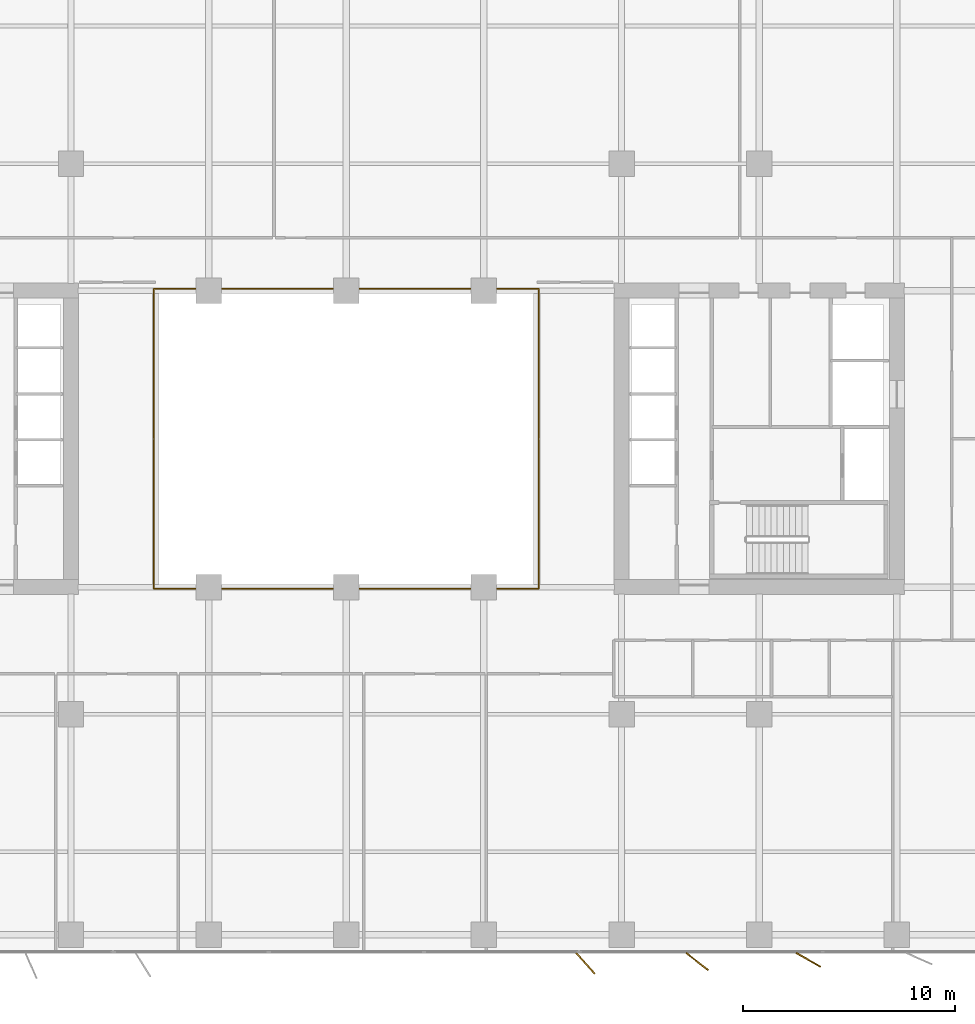
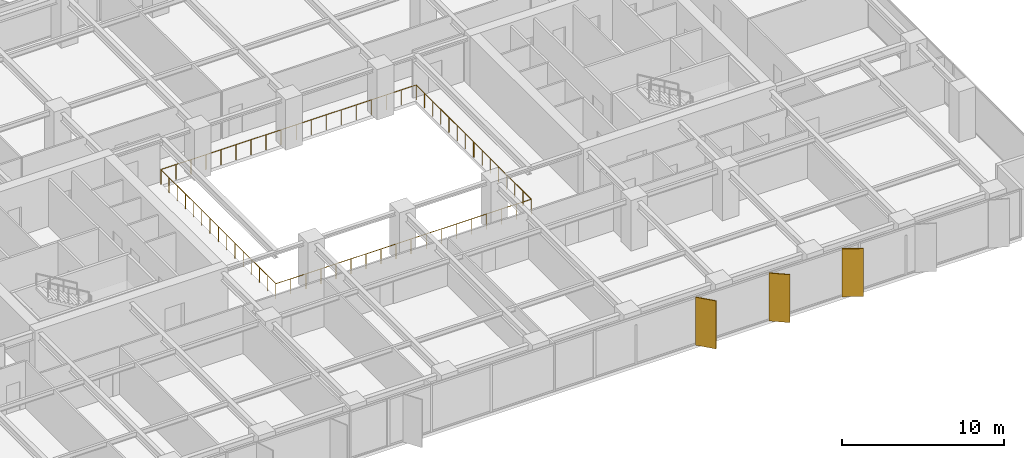
# One storey, part 18 of 20: 3 shading devices, 2 railings.
"""IFC4 building model written with IfcOpenShell, lengths in metres."""

from ifc_helpers import new_model, si_unit, direction, frame, origin, origin_2d, place, context, subcontext, project, spatial, rectangle, circle, extrude, material, layer, layer_set, type_object, element, save


model = new_model("IFC4")

# Units and contexts
model_context = context("Model", 3, precision=1e-05, world=origin(), true_north=direction((0.0, 1.0)))
body_context = subcontext(model_context, "Body", "Model", "MODEL_VIEW")
ifc_project = project(units=[si_unit("LENGTHUNIT", "METRE"), si_unit("AREAUNIT", "SQUARE_METRE"), si_unit("VOLUMEUNIT", "CUBIC_METRE"), si_unit("PLANEANGLEUNIT", "RADIAN"), si_unit("MASSUNIT", "GRAM", prefix="KILO")], contexts=[model_context])

# Site, building, storey
site_placement = place(None, origin())
site = spatial("IfcSite", under=ifc_project, at=site_placement, CompositionType="ELEMENT")
building_placement = place(site_placement, origin())
building = spatial("IfcBuilding", under=site, at=building_placement, Name="Putna Gate Headquarters", CompositionType="ELEMENT")
storey_placement = place(building_placement, frame((0.0, 0.0, 101.199951171875)))
storey = spatial("IfcBuildingStorey", under=building, at=storey_placement, Name="L24", CompositionType="ELEMENT", Elevation=101.199951171875)

# Railings
ifc_material_1 = material(Name="Anodised bronze and laminated glass atrium balustrade", Category="glass")
railing_type = type_object("IfcRailingType", Name="RAIL-ATRIUM-GUARD-1150", PredefinedType="GUARDRAIL", material=ifc_material_1)
railing_1_placement = place(storey_placement, frame((29.919921875, 25.969970703125, 0.0)))
element("IfcRailing", 1, at=railing_1_placement, inside=storey, type_object=railing_type, Name="L24 Central Atrium Glazed Balustrade South", PredefinedType="GUARDRAIL", context=body_context, shape_type="SweptSolid", body=[
    extrude(circle(Radius=0.02392578125, at=origin_2d()), frame((0.0, 0.0, 1.1259765625), z_axis=(0.0, -1.0, 0.0), x_axis=(1.0, 0.0, 0.0)), (0.0, 0.0, 1.0), 7.050048828125),
    extrude(circle(Radius=0.02392578125, at=origin_2d()), frame((0.0, -7.050048828125, 1.1259765625), z_axis=(1.0, 0.0, 0.0), x_axis=(0.0, 1.0, 0.0)), (0.0, 0.0, 1.0), 18.16015625),
    extrude(circle(Radius=0.02392578125, at=origin_2d()), frame((18.16015625, -7.050048828125, 1.1259765625), z_axis=(0.0, 1.0, 0.0), x_axis=(-1.0, 0.0, 0.0)), (0.0, 0.0, 1.0), 7.050048828125),
    extrude(circle(Radius=0.02099609375, at=origin_2d()), origin(), (0.0, 0.0, 1.0), 1.101806640625),
    extrude(circle(Radius=0.02099609375, at=origin_2d()), frame((0.0, -1.007080078125, 0.0)), (0.0, 0.0, 1.0), 1.101806640625),
    extrude(circle(Radius=0.02099609375, at=origin_2d()), frame((0.0, -2.014404296875, 0.0)), (0.0, 0.0, 1.0), 1.101806640625),
    extrude(circle(Radius=0.02099609375, at=origin_2d()), frame((0.0, -3.021484375, 0.0)), (0.0, 0.0, 1.0), 1.101806640625),
    extrude(circle(Radius=0.02099609375, at=origin_2d()), frame((0.0, -4.028564453125, 0.0)), (0.0, 0.0, 1.0), 1.101806640625),
    extrude(circle(Radius=0.02099609375, at=origin_2d()), frame((0.0, -5.03564453125, 0.0)), (0.0, 0.0, 1.0), 1.101806640625),
    extrude(circle(Radius=0.02099609375, at=origin_2d()), frame((0.0, -6.04296875, 0.0)), (0.0, 0.0, 1.0), 1.101806640625),
    extrude(circle(Radius=0.02099609375, at=origin_2d()), frame((0.0, -7.050048828125, 0.0)), (0.0, 0.0, 1.0), 1.101806640625),
    extrude(circle(Radius=0.02099609375, at=origin_2d()), frame((1.068359375, -7.050048828125, 0.0)), (0.0, 0.0, 1.0), 1.101806640625),
    extrude(circle(Radius=0.02099609375, at=origin_2d()), frame((2.136474609375, -7.050048828125, 0.0)), (0.0, 0.0, 1.0), 1.101806640625),
    extrude(circle(Radius=0.02099609375, at=origin_2d()), frame((3.204833984375, -7.050048828125, 0.0)), (0.0, 0.0, 1.0), 1.101806640625),
    extrude(circle(Radius=0.02099609375, at=origin_2d()), frame((4.27294921875, -7.050048828125, 0.0)), (0.0, 0.0, 1.0), 1.101806640625),
    extrude(circle(Radius=0.02099609375, at=origin_2d()), frame((5.34130859375, -7.050048828125, 0.0)), (0.0, 0.0, 1.0), 1.101806640625),
    extrude(circle(Radius=0.02099609375, at=origin_2d()), frame((6.409423828125, -7.050048828125, 0.0)), (0.0, 0.0, 1.0), 1.101806640625),
    extrude(circle(Radius=0.02099609375, at=origin_2d()), frame((7.477783203125, -7.050048828125, 0.0)), (0.0, 0.0, 1.0), 1.101806640625),
    extrude(circle(Radius=0.02099609375, at=origin_2d()), frame((8.5458984375, -7.050048828125, 0.0)), (0.0, 0.0, 1.0), 1.101806640625),
    extrude(circle(Radius=0.02099609375, at=origin_2d()), frame((9.6142578125, -7.050048828125, 0.0)), (0.0, 0.0, 1.0), 1.101806640625),
    extrude(circle(Radius=0.02099609375, at=origin_2d()), frame((10.682373046875, -7.050048828125, 0.0)), (0.0, 0.0, 1.0), 1.101806640625),
    extrude(circle(Radius=0.02099609375, at=origin_2d()), frame((11.750732421875, -7.050048828125, 0.0)), (0.0, 0.0, 1.0), 1.101806640625),
    extrude(circle(Radius=0.02099609375, at=origin_2d()), frame((12.81884765625, -7.050048828125, 0.0)), (0.0, 0.0, 1.0), 1.101806640625),
    extrude(circle(Radius=0.02099609375, at=origin_2d()), frame((13.88720703125, -7.050048828125, 0.0)), (0.0, 0.0, 1.0), 1.101806640625),
    extrude(circle(Radius=0.02099609375, at=origin_2d()), frame((14.955322265625, -7.050048828125, 0.0)), (0.0, 0.0, 1.0), 1.101806640625),
    extrude(circle(Radius=0.02099609375, at=origin_2d()), frame((16.023681640625, -7.050048828125, 0.0)), (0.0, 0.0, 1.0), 1.101806640625),
    extrude(circle(Radius=0.02099609375, at=origin_2d()), frame((17.091796875, -7.050048828125, 0.0)), (0.0, 0.0, 1.0), 1.101806640625),
    extrude(circle(Radius=0.02099609375, at=origin_2d()), frame((18.16015625, -7.050048828125, 0.0)), (0.0, 0.0, 1.0), 1.101806640625),
    extrude(circle(Radius=0.02099609375, at=origin_2d()), frame((18.16015625, -6.04296875, 0.0)), (0.0, 0.0, 1.0), 1.101806640625),
    extrude(circle(Radius=0.02099609375, at=origin_2d()), frame((18.16015625, -5.03564453125, 0.0)), (0.0, 0.0, 1.0), 1.101806640625),
    extrude(circle(Radius=0.02099609375, at=origin_2d()), frame((18.16015625, -4.028564453125, 0.0)), (0.0, 0.0, 1.0), 1.101806640625),
    extrude(circle(Radius=0.02099609375, at=origin_2d()), frame((18.16015625, -3.021484375, 0.0)), (0.0, 0.0, 1.0), 1.101806640625),
    extrude(circle(Radius=0.02099609375, at=origin_2d()), frame((18.16015625, -2.014404296875, 0.0)), (0.0, 0.0, 1.0), 1.101806640625),
    extrude(circle(Radius=0.02099609375, at=origin_2d()), frame((18.16015625, -1.007080078125, 0.0)), (0.0, 0.0, 1.0), 1.101806640625),
    extrude(circle(Radius=0.02099609375, at=origin_2d()), frame((18.16015625, 0.0, 0.0)), (0.0, 0.0, 1.0), 1.101806640625),
])
railing_2_placement = place(storey_placement, frame((48.080078125, 26.030029296875, 0.0)))
element("IfcRailing", 2, at=railing_2_placement, inside=storey, type_object=railing_type, Name="L24 Central Atrium Glazed Balustrade North", PredefinedType="GUARDRAIL", context=body_context, shape_type="SweptSolid", body=[
    extrude(circle(Radius=0.02392578125, at=origin_2d()), frame((0.0, 0.0, 1.1259765625), z_axis=(0.0, 1.0, 0.0), x_axis=(-1.0, 0.0, 0.0)), (0.0, 0.0, 1.0), 7.050048828125),
    extrude(circle(Radius=0.02392578125, at=origin_2d()), frame((0.0, 7.050048828125, 1.1259765625), z_axis=(-1.0, 0.0, 0.0), x_axis=(0.0, -1.0, 0.0)), (0.0, 0.0, 1.0), 18.16015625),
    extrude(circle(Radius=0.02392578125, at=origin_2d()), frame((-18.16015625, 7.050048828125, 1.1259765625), z_axis=(0.0, -1.0, 0.0), x_axis=(1.0, 0.0, 0.0)), (0.0, 0.0, 1.0), 7.050048828125),
    extrude(circle(Radius=0.02099609375, at=origin_2d()), origin(), (0.0, 0.0, 1.0), 1.101806640625),
    extrude(circle(Radius=0.02099609375, at=origin_2d()), frame((0.0, 1.007080078125, 0.0)), (0.0, 0.0, 1.0), 1.101806640625),
    extrude(circle(Radius=0.02099609375, at=origin_2d()), frame((0.0, 2.014404296875, 0.0)), (0.0, 0.0, 1.0), 1.101806640625),
    extrude(circle(Radius=0.02099609375, at=origin_2d()), frame((0.0, 3.021484375, 0.0)), (0.0, 0.0, 1.0), 1.101806640625),
    extrude(circle(Radius=0.02099609375, at=origin_2d()), frame((0.0, 4.028564453125, 0.0)), (0.0, 0.0, 1.0), 1.101806640625),
    extrude(circle(Radius=0.02099609375, at=origin_2d()), frame((0.0, 5.03564453125, 0.0)), (0.0, 0.0, 1.0), 1.101806640625),
    extrude(circle(Radius=0.02099609375, at=origin_2d()), frame((0.0, 6.04296875, 0.0)), (0.0, 0.0, 1.0), 1.101806640625),
    extrude(circle(Radius=0.02099609375, at=origin_2d()), frame((0.0, 7.050048828125, 0.0)), (0.0, 0.0, 1.0), 1.101806640625),
    extrude(circle(Radius=0.02099609375, at=origin_2d()), frame((-1.068359375, 7.050048828125, 0.0)), (0.0, 0.0, 1.0), 1.101806640625),
    extrude(circle(Radius=0.02099609375, at=origin_2d()), frame((-2.136474609375, 7.050048828125, 0.0)), (0.0, 0.0, 1.0), 1.101806640625),
    extrude(circle(Radius=0.02099609375, at=origin_2d()), frame((-3.204833984375, 7.050048828125, 0.0)), (0.0, 0.0, 1.0), 1.101806640625),
    extrude(circle(Radius=0.02099609375, at=origin_2d()), frame((-4.27294921875, 7.050048828125, 0.0)), (0.0, 0.0, 1.0), 1.101806640625),
    extrude(circle(Radius=0.02099609375, at=origin_2d()), frame((-5.34130859375, 7.050048828125, 0.0)), (0.0, 0.0, 1.0), 1.101806640625),
    extrude(circle(Radius=0.02099609375, at=origin_2d()), frame((-6.409423828125, 7.050048828125, 0.0)), (0.0, 0.0, 1.0), 1.101806640625),
    extrude(circle(Radius=0.02099609375, at=origin_2d()), frame((-7.477783203125, 7.050048828125, 0.0)), (0.0, 0.0, 1.0), 1.101806640625),
    extrude(circle(Radius=0.02099609375, at=origin_2d()), frame((-8.5458984375, 7.050048828125, 0.0)), (0.0, 0.0, 1.0), 1.101806640625),
    extrude(circle(Radius=0.02099609375, at=origin_2d()), frame((-9.6142578125, 7.050048828125, 0.0)), (0.0, 0.0, 1.0), 1.101806640625),
    extrude(circle(Radius=0.02099609375, at=origin_2d()), frame((-10.682373046875, 7.050048828125, 0.0)), (0.0, 0.0, 1.0), 1.101806640625),
    extrude(circle(Radius=0.02099609375, at=origin_2d()), frame((-11.750732421875, 7.050048828125, 0.0)), (0.0, 0.0, 1.0), 1.101806640625),
    extrude(circle(Radius=0.02099609375, at=origin_2d()), frame((-12.81884765625, 7.050048828125, 0.0)), (0.0, 0.0, 1.0), 1.101806640625),
    extrude(circle(Radius=0.02099609375, at=origin_2d()), frame((-13.88720703125, 7.050048828125, 0.0)), (0.0, 0.0, 1.0), 1.101806640625),
    extrude(circle(Radius=0.02099609375, at=origin_2d()), frame((-14.955322265625, 7.050048828125, 0.0)), (0.0, 0.0, 1.0), 1.101806640625),
    extrude(circle(Radius=0.02099609375, at=origin_2d()), frame((-16.023681640625, 7.050048828125, 0.0)), (0.0, 0.0, 1.0), 1.101806640625),
    extrude(circle(Radius=0.02099609375, at=origin_2d()), frame((-17.091796875, 7.050048828125, 0.0)), (0.0, 0.0, 1.0), 1.101806640625),
    extrude(circle(Radius=0.02099609375, at=origin_2d()), frame((-18.16015625, 7.050048828125, 0.0)), (0.0, 0.0, 1.0), 1.101806640625),
    extrude(circle(Radius=0.02099609375, at=origin_2d()), frame((-18.16015625, 6.04296875, 0.0)), (0.0, 0.0, 1.0), 1.101806640625),
    extrude(circle(Radius=0.02099609375, at=origin_2d()), frame((-18.16015625, 5.03564453125, 0.0)), (0.0, 0.0, 1.0), 1.101806640625),
    extrude(circle(Radius=0.02099609375, at=origin_2d()), frame((-18.16015625, 4.028564453125, 0.0)), (0.0, 0.0, 1.0), 1.101806640625),
    extrude(circle(Radius=0.02099609375, at=origin_2d()), frame((-18.16015625, 3.021484375, 0.0)), (0.0, 0.0, 1.0), 1.101806640625),
    extrude(circle(Radius=0.02099609375, at=origin_2d()), frame((-18.16015625, 2.014404296875, 0.0)), (0.0, 0.0, 1.0), 1.101806640625),
    extrude(circle(Radius=0.02099609375, at=origin_2d()), frame((-18.16015625, 1.007080078125, 0.0)), (0.0, 0.0, 1.0), 1.101806640625),
    extrude(circle(Radius=0.02099609375, at=origin_2d()), frame((-18.16015625, 0.0, 0.0)), (0.0, 0.0, 1.0), 1.101806640625),
])

# Shading devices
ifc_material_2 = material(Name="Anodised architectural bronze aluminium fin", Category="aluminium")
ifc_layer = layer(ifc_material_2, 0.06494140625)
ifc_layer_set = layer_set([ifc_layer], Name="Anodised architectural bronze aluminium fin")
shading_device_type = type_object("IfcShadingDeviceType", Name="SHADE-BRONZE-FIN-1320", PredefinedType="USERDEFINED", material=ifc_layer_set)
for number, where, z_axis, x_axis, name in (
    (3, (50.29150390625, 1.234619140625, -0.02001953125), (0.0, 0.0, 1.0), (0.669130606359, -0.743144825477, 0.0), "L24 Bronze Vertical Shading Fin S8"),
    (4, (55.569580078125, 1.318115234375, -0.02001953125), (0.0, 0.0, 1.0), (0.787473187632, -0.616348909921, 0.0), "L24 Bronze Vertical Shading Fin S9"),
    (5, (60.82373046875, 1.398681640625, -0.02001953125), (0.0, 0.0, 1.0), (0.869322458298, -0.494245347472, 0.0), "L24 Bronze Vertical Shading Fin S10"),
):
    element("IfcShadingDevice", number, at=place(storey_placement, frame(where, z_axis=z_axis, x_axis=x_axis)), inside=storey, type_object=shading_device_type, Name=name, ObjectType="FIN", PredefinedType="USERDEFINED", context=body_context, shape_type="SweptSolid", body=[
        extrude(rectangle(XDim=1.320068359375, YDim=0.06494140625, at=origin_2d()), origin(), (0.0, 0.0, 1.0), 3.60498046875),
    ])

save(model, "model.ifc")
